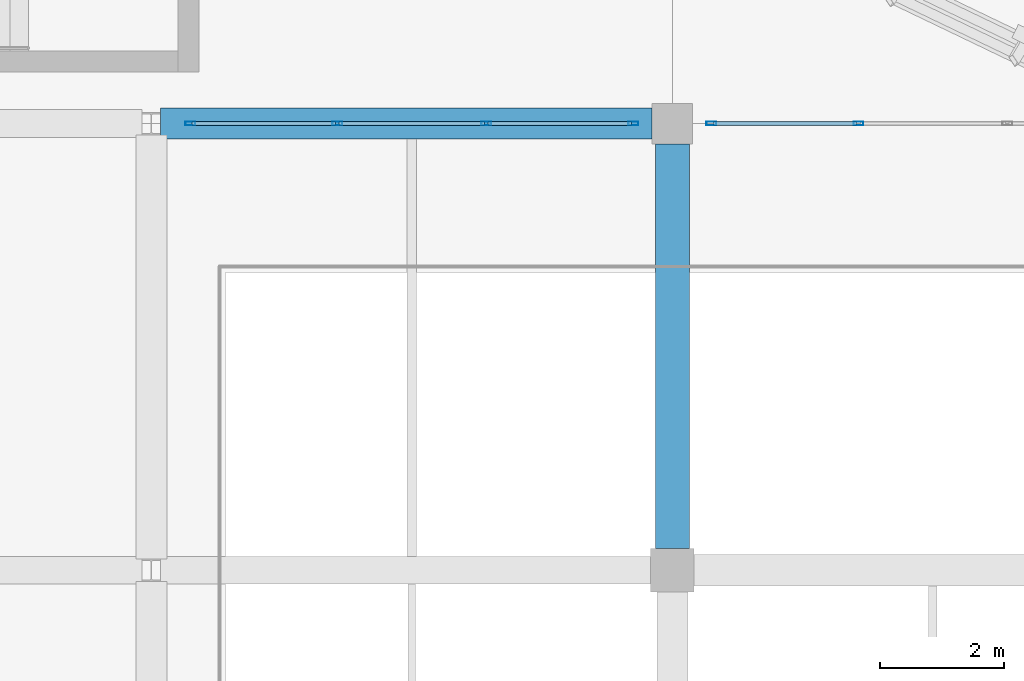
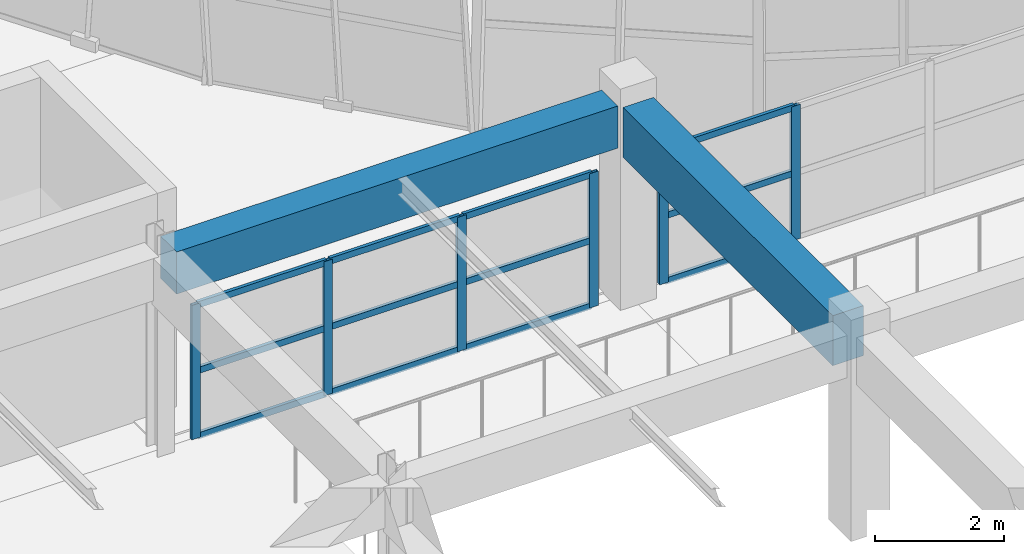
# One storey, part 13 of 71: 18 members, 2 beams, 2 elements without a shape of their own.
"""IFC4 building model written with IfcOpenShell, lengths in metres."""

from ifc_helpers import new_model, si_unit, direction, frame, origin, origin_2d, place, context, subcontext, project, spatial, rectangle, hollow_rectangle, extrude, material, material_profile, profile_set, type_object, element, aggregate, save


model = new_model("IFC4")

# Units and contexts
model_context = context("Model", 3, precision=1e-05, world=origin(), true_north=direction((0.0, 1.0)))
body_context = subcontext(model_context, "Body", "Model", "MODEL_VIEW")
ifc_project = project(units=[si_unit("LENGTHUNIT", "METRE"), si_unit("AREAUNIT", "SQUARE_METRE"), si_unit("VOLUMEUNIT", "CUBIC_METRE"), si_unit("PLANEANGLEUNIT", "RADIAN"), si_unit("MASSUNIT", "GRAM", prefix="KILO")], contexts=[model_context])

# Site, building, storey
site_placement = place(None, origin())
site = spatial("IfcSite", under=ifc_project, at=site_placement, CompositionType="ELEMENT")
building_placement = place(site_placement, origin())
building = spatial("IfcBuilding", under=site, at=building_placement, Name="Korsvaeld Concert Hall", CompositionType="ELEMENT")
storey_placement = place(building_placement, frame((0.0, 0.0, 4.800048828125)))
storey = spatial("IfcBuildingStorey", under=building, at=storey_placement, Name="L01", CompositionType="ELEMENT", Elevation=4.800048828125)

# Beams
ifc_material_1 = material(Name="Concrete C40/50", Category="concrete")
ifc_material_profile_1 = material_profile(ifc_material_1, rectangle(XDim=0.5, YDim=0.800048828125, at=origin_2d()), Name="RC 500x800")
ifc_profile_set_1 = profile_set([ifc_material_profile_1], Name="Concrete C40/50")
beam_type_1 = type_object("IfcBeamType", Name="BM-RC-500x800", PredefinedType="T_BEAM", material=ifc_profile_set_1)
beam_1_placement = place(storey_placement, frame((58.949951171875, 43.199951171875, 3.43994140625), z_axis=(1.0, 0.0, 0.0), x_axis=(0.0, 1.0, 0.0)))
element("IfcBeam", 1, at=beam_1_placement, inside=storey, type_object=beam_type_1, Name="Primary girder 9-10/G L01", PredefinedType="T_BEAM", context=body_context, shape_type="SweptSolid", body=[
    extrude(rectangle(XDim=0.5, YDim=0.800048828125, at=origin_2d()), origin(), (0.0, 0.0, 1.0), 7.925048828125),
])
ifc_material_profile_2 = material_profile(ifc_material_1, rectangle(XDim=0.550048828125, YDim=0.949951171875, at=origin_2d()), Name="RC 550x950")
ifc_profile_set_2 = profile_set([ifc_material_profile_2], Name="Concrete C40/50")
beam_type_2 = type_object("IfcBeamType", Name="BM-RC-550x950", PredefinedType="T_BEAM", material=ifc_profile_set_2)
beam_2_placement = place(storey_placement, frame((67.199951171875, 36.35009765625, 3.364990234375), z_axis=(0.0, 1.0, 0.0), x_axis=(-1.0, 0.0, 0.0)))
element("IfcBeam", 2, at=beam_2_placement, inside=storey, type_object=beam_type_2, Name="Primary girder 10/F-G L01", PredefinedType="T_BEAM", context=body_context, shape_type="SweptSolid", body=[
    extrude(rectangle(XDim=0.550048828125, YDim=0.949951171875, at=origin_2d()), origin(), (0.0, 0.0, 1.0), 6.52490234375),
])

# Curtain wall, members
ifc_material_2 = material(Name="Anodised bronze and ceramic-fritted safety glass", Category="glass")
curtain_wall_type_1 = type_object("IfcCurtainWallType", Name="CW-TYPE-09", PredefinedType="USERDEFINED", material=ifc_material_2)
curtain_wall_1_placement = place(storey_placement, origin())
curtain_wall_1 = element("IfcCurtainWall", 3, at=curtain_wall_1_placement, inside=storey, type_object=curtain_wall_type_1, Name="Glazed foyer acoustic screen L01-25", ObjectType="CURTAIN WALL", PredefinedType="USERDEFINED")
ifc_material_3 = material(Name="Anodised architectural bronze aluminium", Category="aluminium")
ifc_material_profile_3 = material_profile(ifc_material_3, hollow_rectangle(XDim=0.06005859375, YDim=0.159912109375, WallThickness=0.00390625, at=origin_2d()), Name="CWM 160x60x4")
ifc_profile_set_3 = profile_set([ifc_material_profile_3], Name="Anodised architectural bronze aluminium")
member_type_1 = type_object("IfcMemberType", Name="CWM-ALUM-160x60", PredefinedType="MULLION", material=ifc_profile_set_3)
member_1_placement = place(storey_placement, frame((59.429931640625, 43.199951171875, 0.0), z_axis=(0.0, 0.0, 1.0), x_axis=(0.0, 1.0, 0.0)))
member_1 = element("IfcMember", 4, at=member_1_placement, type_object=member_type_1, Name="CW-09 mullion 1", PredefinedType="MULLION", context=body_context, shape_type="SweptSolid", body=[
    extrude(hollow_rectangle(XDim=0.06005859375, YDim=0.159912109375, WallThickness=0.00390625, at=origin_2d()), origin(), (0.0, 0.0, 1.0), 2.550048828125),
])
member_2_placement = place(storey_placement, frame((61.800048828125, 43.199951171875, 0.0), z_axis=(0.0, 0.0, 1.0), x_axis=(0.0, 1.0, 0.0)))
member_2 = element("IfcMember", 5, at=member_2_placement, type_object=member_type_1, Name="CW-09 mullion 2", PredefinedType="MULLION", context=body_context, shape_type="SweptSolid", body=[
    extrude(hollow_rectangle(XDim=0.06005859375, YDim=0.159912109375, WallThickness=0.00390625, at=origin_2d()), origin(), (0.0, 0.0, 1.0), 2.550048828125),
])
member_3_placement = place(storey_placement, frame((64.199951171875, 43.199951171875, 0.0), z_axis=(0.0, 0.0, 1.0), x_axis=(0.0, 1.0, 0.0)))
member_3 = element("IfcMember", 6, at=member_3_placement, type_object=member_type_1, Name="CW-09 mullion 3", PredefinedType="MULLION", context=body_context, shape_type="SweptSolid", body=[
    extrude(hollow_rectangle(XDim=0.06005859375, YDim=0.159912109375, WallThickness=0.00390625, at=origin_2d()), origin(), (0.0, 0.0, 1.0), 2.550048828125),
])
member_4_placement = place(storey_placement, frame((66.570068359375, 43.199951171875, 0.0), z_axis=(0.0, 0.0, 1.0), x_axis=(0.0, 1.0, 0.0)))
member_4 = element("IfcMember", 7, at=member_4_placement, type_object=member_type_1, Name="CW-09 mullion 4", PredefinedType="MULLION", context=body_context, shape_type="SweptSolid", body=[
    extrude(hollow_rectangle(XDim=0.06005859375, YDim=0.159912109375, WallThickness=0.00390625, at=origin_2d()), origin(), (0.0, 0.0, 1.0), 2.550048828125),
])

curtain_wall_type_2 = type_object("IfcCurtainWallType", Name="CW-TYPE-10", PredefinedType="USERDEFINED", material=ifc_material_2)
curtain_wall_2_placement = place(storey_placement, origin())
curtain_wall_2 = element("IfcCurtainWall", 8, at=curtain_wall_2_placement, inside=storey, type_object=curtain_wall_type_2, Name="Glazed foyer acoustic screen L01-26", ObjectType="CURTAIN WALL", PredefinedType="USERDEFINED")
member_5_placement = place(storey_placement, frame((67.830078125, 43.199951171875, 0.0), z_axis=(0.0, 0.0, 1.0), x_axis=(0.0, 1.0, 0.0)))
member_5 = element("IfcMember", 9, at=member_5_placement, type_object=member_type_1, Name="CW-10 mullion 1", PredefinedType="MULLION", context=body_context, shape_type="SweptSolid", body=[
    extrude(hollow_rectangle(XDim=0.06005859375, YDim=0.159912109375, WallThickness=0.00390625, at=origin_2d()), origin(), (0.0, 0.0, 1.0), 2.550048828125),
])
member_6_placement = place(storey_placement, frame((70.199951171875, 43.199951171875, 0.0), z_axis=(0.0, 0.0, 1.0), x_axis=(0.0, 1.0, 0.0)))
member_6 = element("IfcMember", 10, at=member_6_placement, type_object=member_type_1, Name="CW-10 mullion 2", PredefinedType="MULLION", context=body_context, shape_type="SweptSolid", body=[
    extrude(hollow_rectangle(XDim=0.06005859375, YDim=0.159912109375, WallThickness=0.00390625, at=origin_2d()), origin(), (0.0, 0.0, 1.0), 2.550048828125),
])

# Member
ifc_material_profile_4 = material_profile(ifc_material_3, hollow_rectangle(XDim=0.06005859375, YDim=0.1201171875, WallThickness=0.00390625, at=origin_2d()), Name="CWT 120x60x4")
ifc_profile_set_4 = profile_set([ifc_material_profile_4], Name="Anodised architectural bronze aluminium")
member_type_2 = type_object("IfcMemberType", Name="CWT-ALUM-120x60", PredefinedType="USERDEFINED", material=ifc_profile_set_4)
member_7_placement = place(storey_placement, frame((59.4599609375, 43.199951171875, 0.030029296875), z_axis=(1.0, 0.0, 0.0), x_axis=(0.0, 1.0, 0.0)))
member_7 = element("IfcMember", 11, at=member_7_placement, type_object=member_type_2, Name="CW-09 transom 1.1", ObjectType="TRANSOM", PredefinedType="USERDEFINED", context=body_context, shape_type="SweptSolid", body=[
    extrude(hollow_rectangle(XDim=0.06005859375, YDim=0.1201171875, WallThickness=0.00390625, at=origin_2d()), origin(), (0.0, 0.0, 1.0), 2.31005859375),
])

member_8_placement = place(storey_placement, frame((59.4599609375, 43.199951171875, 1.27490234375), z_axis=(1.0, 0.0, 0.0), x_axis=(0.0, 1.0, 0.0)))
member_8 = element("IfcMember", 12, at=member_8_placement, type_object=member_type_2, Name="CW-09 transom 1.2", ObjectType="TRANSOM", PredefinedType="USERDEFINED", context=body_context, shape_type="SweptSolid", body=[
    extrude(hollow_rectangle(XDim=0.06005859375, YDim=0.1201171875, WallThickness=0.00390625, at=origin_2d()), origin(), (0.0, 0.0, 1.0), 2.31005859375),
])

member_9_placement = place(storey_placement, frame((59.4599609375, 43.199951171875, 2.52001953125), z_axis=(1.0, 0.0, 0.0), x_axis=(0.0, 1.0, 0.0)))
member_9 = element("IfcMember", 13, at=member_9_placement, type_object=member_type_2, Name="CW-09 transom 1.3", ObjectType="TRANSOM", PredefinedType="USERDEFINED", context=body_context, shape_type="SweptSolid", body=[
    extrude(hollow_rectangle(XDim=0.06005859375, YDim=0.1201171875, WallThickness=0.00390625, at=origin_2d()), origin(), (0.0, 0.0, 1.0), 2.31005859375),
])

member_10_placement = place(storey_placement, frame((61.830078125, 43.199951171875, 0.030029296875), z_axis=(1.0, 0.0, 0.0), x_axis=(0.0, 1.0, 0.0)))
member_10 = element("IfcMember", 14, at=member_10_placement, type_object=member_type_2, Name="CW-09 transom 2.1", ObjectType="TRANSOM", PredefinedType="USERDEFINED", context=body_context, shape_type="SweptSolid", body=[
    extrude(hollow_rectangle(XDim=0.06005859375, YDim=0.1201171875, WallThickness=0.00390625, at=origin_2d()), origin(), (0.0, 0.0, 1.0), 2.33984375),
])

member_11_placement = place(storey_placement, frame((61.830078125, 43.199951171875, 1.27490234375), z_axis=(1.0, 0.0, 0.0), x_axis=(0.0, 1.0, 0.0)))
member_11 = element("IfcMember", 15, at=member_11_placement, type_object=member_type_2, Name="CW-09 transom 2.2", ObjectType="TRANSOM", PredefinedType="USERDEFINED", context=body_context, shape_type="SweptSolid", body=[
    extrude(hollow_rectangle(XDim=0.06005859375, YDim=0.1201171875, WallThickness=0.00390625, at=origin_2d()), origin(), (0.0, 0.0, 1.0), 2.33984375),
])

member_12_placement = place(storey_placement, frame((61.830078125, 43.199951171875, 2.52001953125), z_axis=(1.0, 0.0, 0.0), x_axis=(0.0, 1.0, 0.0)))
member_12 = element("IfcMember", 16, at=member_12_placement, type_object=member_type_2, Name="CW-09 transom 2.3", ObjectType="TRANSOM", PredefinedType="USERDEFINED", context=body_context, shape_type="SweptSolid", body=[
    extrude(hollow_rectangle(XDim=0.06005859375, YDim=0.1201171875, WallThickness=0.00390625, at=origin_2d()), origin(), (0.0, 0.0, 1.0), 2.33984375),
])

member_13_placement = place(storey_placement, frame((64.22998046875, 43.199951171875, 0.030029296875), z_axis=(1.0, 0.0, 0.0), x_axis=(0.0, 1.0, 0.0)))
member_13 = element("IfcMember", 17, at=member_13_placement, type_object=member_type_2, Name="CW-09 transom 3.1", ObjectType="TRANSOM", PredefinedType="USERDEFINED", context=body_context, shape_type="SweptSolid", body=[
    extrude(hollow_rectangle(XDim=0.06005859375, YDim=0.1201171875, WallThickness=0.00390625, at=origin_2d()), origin(), (0.0, 0.0, 1.0), 2.31005859375),
])

member_14_placement = place(storey_placement, frame((64.22998046875, 43.199951171875, 1.27490234375), z_axis=(1.0, 0.0, 0.0), x_axis=(0.0, 1.0, 0.0)))
member_14 = element("IfcMember", 18, at=member_14_placement, type_object=member_type_2, Name="CW-09 transom 3.2", ObjectType="TRANSOM", PredefinedType="USERDEFINED", context=body_context, shape_type="SweptSolid", body=[
    extrude(hollow_rectangle(XDim=0.06005859375, YDim=0.1201171875, WallThickness=0.00390625, at=origin_2d()), origin(), (0.0, 0.0, 1.0), 2.31005859375),
])

member_15_placement = place(storey_placement, frame((64.22998046875, 43.199951171875, 2.52001953125), z_axis=(1.0, 0.0, 0.0), x_axis=(0.0, 1.0, 0.0)))
member_15 = element("IfcMember", 19, at=member_15_placement, type_object=member_type_2, Name="CW-09 transom 3.3", ObjectType="TRANSOM", PredefinedType="USERDEFINED", context=body_context, shape_type="SweptSolid", body=[
    extrude(hollow_rectangle(XDim=0.06005859375, YDim=0.1201171875, WallThickness=0.00390625, at=origin_2d()), origin(), (0.0, 0.0, 1.0), 2.31005859375),
])

aggregate(curtain_wall_1, [member_1, member_2, member_3, member_4, member_7, member_8, member_9, member_10, member_11, member_12, member_13, member_14, member_15])

member_16_placement = place(storey_placement, frame((67.860107421875, 43.199951171875, 0.030029296875), z_axis=(1.0, 0.0, 0.0), x_axis=(0.0, 1.0, 0.0)))
member_16 = element("IfcMember", 20, at=member_16_placement, type_object=member_type_2, Name="CW-10 transom 1.1", ObjectType="TRANSOM", PredefinedType="USERDEFINED", context=body_context, shape_type="SweptSolid", body=[
    extrude(hollow_rectangle(XDim=0.06005859375, YDim=0.1201171875, WallThickness=0.00390625, at=origin_2d()), origin(), (0.0, 0.0, 1.0), 2.309814453125),
])

member_17_placement = place(storey_placement, frame((67.860107421875, 43.199951171875, 1.27490234375), z_axis=(1.0, 0.0, 0.0), x_axis=(0.0, 1.0, 0.0)))
member_17 = element("IfcMember", 21, at=member_17_placement, type_object=member_type_2, Name="CW-10 transom 1.2", ObjectType="TRANSOM", PredefinedType="USERDEFINED", context=body_context, shape_type="SweptSolid", body=[
    extrude(hollow_rectangle(XDim=0.06005859375, YDim=0.1201171875, WallThickness=0.00390625, at=origin_2d()), origin(), (0.0, 0.0, 1.0), 2.309814453125),
])

member_18_placement = place(storey_placement, frame((67.860107421875, 43.199951171875, 2.52001953125), z_axis=(1.0, 0.0, 0.0), x_axis=(0.0, 1.0, 0.0)))
member_18 = element("IfcMember", 22, at=member_18_placement, type_object=member_type_2, Name="CW-10 transom 1.3", ObjectType="TRANSOM", PredefinedType="USERDEFINED", context=body_context, shape_type="SweptSolid", body=[
    extrude(hollow_rectangle(XDim=0.06005859375, YDim=0.1201171875, WallThickness=0.00390625, at=origin_2d()), origin(), (0.0, 0.0, 1.0), 2.309814453125),
])

aggregate(curtain_wall_2, [member_5, member_6, member_16, member_17, member_18])

save(model, "model.ifc")
